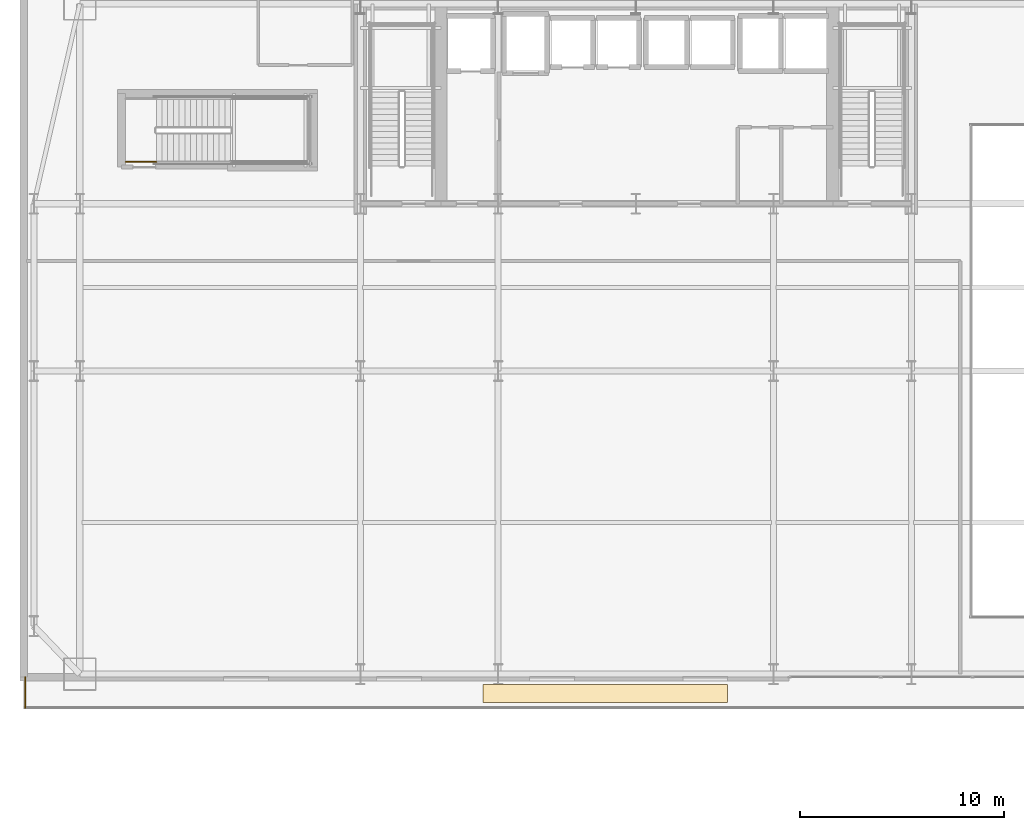
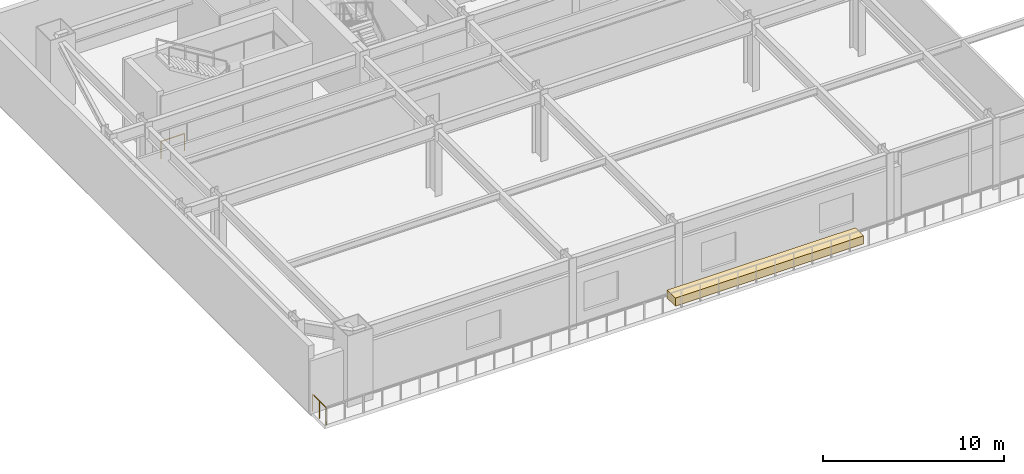
# One storey, part 17 of 28: 2 railings, 1 covering.
"""IFC4 building model written with IfcOpenShell, lengths in metres."""

from ifc_helpers import new_model, si_unit, direction, frame, origin, origin_2d, place, context, subcontext, project, spatial, polyline, rectangle, outline, extrude, material, layer, layer_set, type_object, element, save


model = new_model("IFC4")

# Units and contexts
model_context = context("Model", 3, precision=1e-05, world=origin(), true_north=direction((0.0, 1.0)))
body_context = subcontext(model_context, "Body", "Model", "MODEL_VIEW")
ifc_project = project(units=[si_unit("LENGTHUNIT", "METRE"), si_unit("AREAUNIT", "SQUARE_METRE"), si_unit("VOLUMEUNIT", "CUBIC_METRE"), si_unit("PLANEANGLEUNIT", "RADIAN"), si_unit("MASSUNIT", "GRAM", prefix="KILO")], contexts=[model_context])

# Site, building, storey
site_placement = place(None, origin())
site = spatial("IfcSite", under=ifc_project, at=site_placement, CompositionType="ELEMENT")
building_placement = place(site_placement, origin())
building = spatial("IfcBuilding", under=site, at=building_placement, Name="Haevon Station Towers", CompositionType="ELEMENT")
storey_placement = place(building_placement, frame((0.0, 0.0, 10.800048828125)))
storey = spatial("IfcBuildingStorey", under=building, at=storey_placement, Name="L02", CompositionType="ELEMENT", Elevation=10.800048828125)

# Railings
ifc_material_1 = material(Name="Steel S355", Category="steel")
railing_type_1 = type_object("IfcRailingType", Name="GRD-EXT1200", PredefinedType="GUARDRAIL", material=ifc_material_1)
railing_1_placement = place(storey_placement, frame((7.580078125, 14.994140625, 0.0)))
element("IfcRailing", 1, at=railing_1_placement, inside=storey, type_object=railing_type_1, Name="L02 Perimeter Guardrail 3", PredefinedType="GUARDRAIL", context=body_context, shape_type="SweptSolid", body=[
    extrude(rectangle(XDim=0.048095703125, YDim=0.048095703125, at=origin_2d()), frame((0.0, 0.0, 1.17578125), z_axis=(0.0, -1.0, 0.0), x_axis=(1.0, 0.0, 0.0)), (0.0, 0.0, 1.0), 1.4931640625),
    extrude(rectangle(XDim=0.0419921875, YDim=0.0419921875, at=origin_2d()), origin(), (0.0, 0.0, 1.0), 1.15185546875),
    extrude(rectangle(XDim=0.0419921875, YDim=0.0419921875, at=origin_2d()), frame((0.0, -0.74658203125, 0.0)), (0.0, 0.0, 1.0), 1.15185546875),
    extrude(rectangle(XDim=0.0419921875, YDim=0.0419921875, at=origin_2d()), frame((0.0, -1.4931640625, 0.0)), (0.0, 0.0, 1.0), 1.15185546875),
])
railing_type_2 = type_object("IfcRailingType", Name="GRD-STR1200", PredefinedType="GUARDRAIL", material=ifc_material_1)
railing_2_placement = place(storey_placement, frame((12.5, 40.25, 0.0)))
element("IfcRailing", 2, at=railing_2_placement, inside=storey, type_object=railing_type_2, Name="L02 ST5 Stair Guard 8", PredefinedType="GUARDRAIL", context=body_context, shape_type="SweptSolid", body=[
    extrude(rectangle(XDim=0.048095703125, YDim=0.048095703125, at=origin_2d()), frame((0.0, 0.0, 1.17578125), z_axis=(1.0, 0.0, 0.0), x_axis=(0.0, 1.0, 0.0)), (0.0, 0.0, 1.0), 1.5),
    extrude(rectangle(XDim=0.0419921875, YDim=0.0419921875, at=origin_2d()), origin(), (0.0, 0.0, 1.0), 1.15185546875),
    extrude(rectangle(XDim=0.0419921875, YDim=0.0419921875, at=origin_2d()), frame((1.5, 0.0, 0.0)), (0.0, 0.0, 1.0), 1.15185546875),
])

# Covering
ifc_material_2 = material(Name="Architectural planter GRC", Category="concrete")
ifc_layer = layer(ifc_material_2, 0.550048828125)
ifc_layer_set = layer_set([ifc_layer], Name="Architectural planter GRC")
covering_type = type_object("IfcCoveringType", Name="PLN-GRC550", PredefinedType="MOLDING", material=ifc_layer_set)
covering_placement = place(storey_placement, origin())
element("IfcCovering", 3, at=covering_placement, inside=storey, type_object=covering_type, Name="L02 Podium Terrace GRC PLANTER", PredefinedType="MOLDING", context=body_context, shape_type="SweptSolid", body=[
    extrude(outline(polyline([(30.0, 13.75), (42.0, 13.75), (42.0, 14.64501953125), (30.0, 14.64501953125), (30.0, 13.75)])), origin(), (0.0, 0.0, 1.0), 0.550048828125),
])

save(model, "model.ifc")
